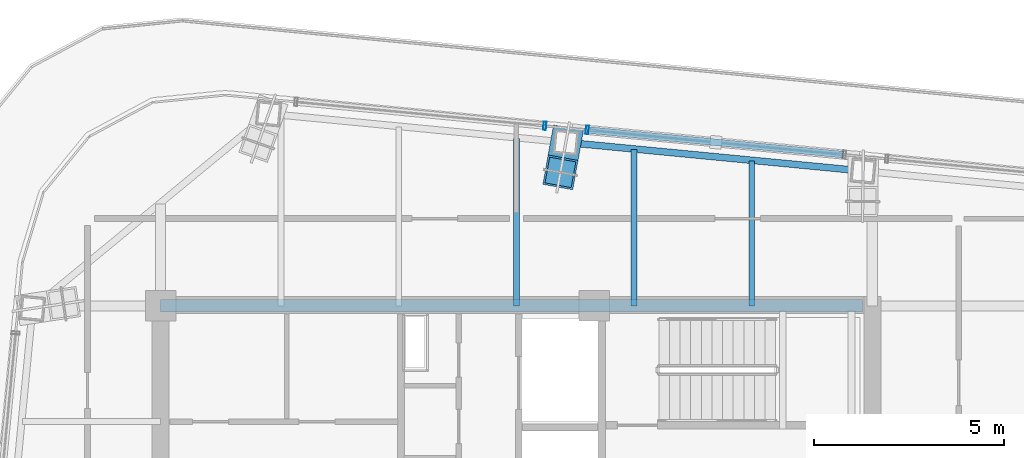
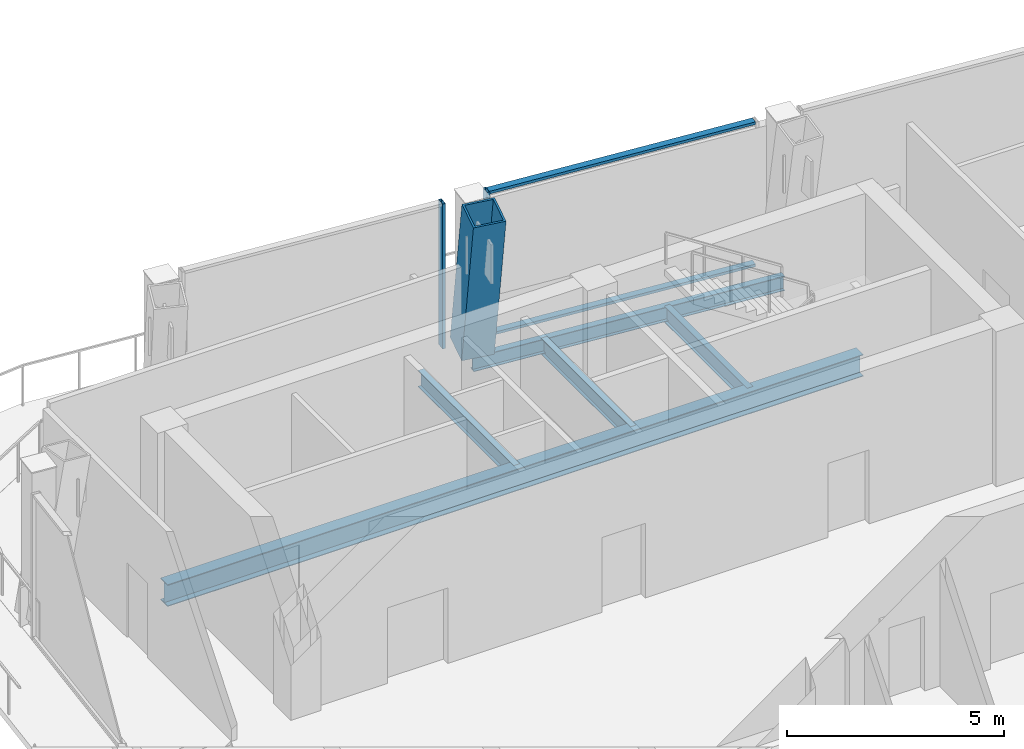
# One storey, part 9 of 19: 5 beams, 5 members, 2 elements without a shape of their own.
"""IFC4 building model written with IfcOpenShell, lengths in metres."""

from ifc_helpers import new_model, si_unit, direction, frame, origin, origin_2d, place, context, subcontext, project, spatial, hollow_rectangle, i_section, extrude, material, layer, layer_set, material_profile, profile_set, type_object, element, aggregate, save


model = new_model("IFC4")

# Units and contexts
model_context = context("Model", 3, precision=1e-05, world=origin(), true_north=direction((0.0, 1.0)))
body_context = subcontext(model_context, "Body", "Model", "MODEL_VIEW")
ifc_project = project(units=[si_unit("LENGTHUNIT", "METRE"), si_unit("AREAUNIT", "SQUARE_METRE"), si_unit("VOLUMEUNIT", "CUBIC_METRE"), si_unit("PLANEANGLEUNIT", "RADIAN"), si_unit("MASSUNIT", "GRAM", prefix="KILO")], contexts=[model_context])

# Site, building, storey
site_placement = place(None, origin())
site = spatial("IfcSite", under=ifc_project, at=site_placement, CompositionType="ELEMENT")
building_placement = place(site_placement, origin())
building = spatial("IfcBuilding", under=site, at=building_placement, Name="Qhalaya Broadcast Tower", CompositionType="ELEMENT")
storey_placement = place(building_placement, frame((0.0, 0.0, 280.550048828125)))
storey = spatial("IfcBuildingStorey", under=building, at=storey_placement, Name="L83", CompositionType="ELEMENT", Elevation=280.550048828125)

# Beams
ifc_material_1 = material(Name="Structural Steel ASTM A992 Grade 50", Category="steel")
ifc_material_profile_1 = material_profile(ifc_material_1, i_section(OverallWidth=0.154052734375, OverallDepth=0.458984375, WebThickness=0.009033203125, FlangeThickness=0.015380859375, at=origin_2d()), Name="W18X46")
ifc_profile_set_1 = profile_set([ifc_material_profile_1], Name="Structural Steel ASTM A992 Grade 50")
beam_type_1 = type_object("IfcBeamType", Name="Composite Floor Joist J04", PredefinedType="JOIST", material=ifc_profile_set_1)
beam_1_placement = place(storey_placement, frame((0.0, 9.949951171875, -0.41943359375), z_axis=(0.0, 1.0, 0.0), x_axis=(-1.0, 0.0, 0.0)))
element("IfcBeam", 1, at=beam_1_placement, inside=storey, type_object=beam_type_1, Name="L83 J04 L83-JNN3-1", PredefinedType="JOIST", context=body_context, shape_type="SweptSolid", body=[
    extrude(i_section(OverallWidth=0.154052734375, OverallDepth=0.458984375, WebThickness=0.009033203125, FlangeThickness=0.015380859375, at=origin_2d()), origin(), (0.0, 0.0, 1.0), 4.411865234375),
])
beam_2_placement = place(storey_placement, frame((3.10009765625, 9.949951171875, -0.41943359375), z_axis=(0.0, 1.0, 0.0), x_axis=(-1.0, 0.0, 0.0)))
element("IfcBeam", 2, at=beam_2_placement, inside=storey, type_object=beam_type_1, Name="L83 J04 L83-JNN4-1", PredefinedType="JOIST", context=body_context, shape_type="SweptSolid", body=[
    extrude(i_section(OverallWidth=0.154052734375, OverallDepth=0.458984375, WebThickness=0.009033203125, FlangeThickness=0.015380859375, at=origin_2d()), origin(), (0.0, 0.0, 1.0), 4.11328125),
])
beam_3_placement = place(storey_placement, frame((6.199951171875, 9.949951171875, -0.41943359375), z_axis=(0.0, 1.0, 0.0), x_axis=(-1.0, 0.0, 0.0)))
element("IfcBeam", 3, at=beam_3_placement, inside=storey, type_object=beam_type_1, Name="L83 J04 L83-JNN5-1", PredefinedType="JOIST", context=body_context, shape_type="SweptSolid", body=[
    extrude(i_section(OverallWidth=0.154052734375, OverallDepth=0.458984375, WebThickness=0.009033203125, FlangeThickness=0.015380859375, at=origin_2d()), origin(), (0.0, 0.0, 1.0), 3.814697265625),
])
ifc_material_profile_2 = material_profile(ifc_material_1, i_section(OverallWidth=0.323974609375, OverallDepth=0.612060546875, WebThickness=0.0126953125, FlangeThickness=0.01904296875, at=origin_2d()), Name="W24X104")
ifc_profile_set_2 = profile_set([ifc_material_profile_2], Name="Structural Steel ASTM A992 Grade 50")
beam_type_2 = type_object("IfcBeamType", Name="Core Frame Tie Beam B04", PredefinedType="BEAM", material=ifc_profile_set_2)
beam_4_placement = place(storey_placement, frame((-9.375, 9.949951171875, -0.49609375), z_axis=(1.0, 0.0, 0.0), x_axis=(0.0, 1.0, 0.0)))
element("IfcBeam", 4, at=beam_4_placement, inside=storey, type_object=beam_type_2, Name="L83 B04 L83-CCN3", PredefinedType="BEAM", context=body_context, shape_type="SweptSolid", body=[
    extrude(i_section(OverallWidth=0.323974609375, OverallDepth=0.612060546875, WebThickness=0.0126953125, FlangeThickness=0.01904296875, at=origin_2d()), origin(), (0.0, 0.0, 1.0), 18.4951171875),
])

# Curtain wall, member
ifc_material_2 = material(Name="Solar-Control Low-E Triple Glazing", Category="glass")
ifc_layer = layer(ifc_material_2, 0.219970703125, Name="Solar-Control Low-E Triple Glazing")
ifc_layer_set = layer_set([ifc_layer], Name="Solar-Control Low-E Triple Glazing")
curtain_wall_type = type_object("IfcCurtainWallType", Name="Crown Garden & Observation Windscreen Curtain Wall CW-06", PredefinedType="NOTDEFINED", material=ifc_layer_set)
curtain_wall_1_placement = place(storey_placement, origin())
curtain_wall_1 = element("IfcCurtainWall", 5, at=curtain_wall_1_placement, inside=storey, type_object=curtain_wall_type, Name="L83 Unitised Curtain Wall L83-CW-N2", PredefinedType="NOTDEFINED")
ifc_material_3 = material(Name="Anodised Aluminium 6063-T6", Category="aluminium")
ifc_material_profile_3 = material_profile(ifc_material_3, hollow_rectangle(XDim=0.074951171875, YDim=0.219970703125, WallThickness=0.00390625, at=origin_2d()), Name="ALU-MUL 75x220x4")
ifc_profile_set_3 = profile_set([ifc_material_profile_3], Name="Anodised Aluminium 6063-T6")
member_type_1 = type_object("IfcMemberType", Name="Unitised Curtain-Wall Mullion M01", PredefinedType="MULLION", material=ifc_profile_set_3)
member_1_placement = place(storey_placement, frame((1.864990234375, 14.583984375, 0.0), z_axis=(0.0, 0.0, 1.0), x_axis=(-0.995396218393, 0.095845544549, 0.0)))
member_1 = element("IfcMember", 6, at=member_1_placement, type_object=member_type_1, Name="CW-06 mullion 2", PredefinedType="MULLION", context=body_context, shape_type="SweptSolid", body=[
    extrude(hollow_rectangle(XDim=0.074951171875, YDim=0.219970703125, WallThickness=0.00390625, at=origin_2d()), origin(), (0.0, 0.0, 1.0), 4.070068359375),
])

curtain_wall_2_placement = place(storey_placement, origin())
curtain_wall_2 = element("IfcCurtainWall", 7, at=curtain_wall_2_placement, inside=storey, type_object=curtain_wall_type, Name="L83 Unitised Curtain Wall L83-CW-N3", PredefinedType="NOTDEFINED")
member_2_placement = place(storey_placement, frame((0.7490234375, 14.69140625, 0.0), z_axis=(0.0, 0.0, 1.0), x_axis=(-0.995396507194, 0.095842545179, 0.0)))
member_2 = element("IfcMember", 8, at=member_2_placement, type_object=member_type_1, Name="CW-06 mullion 1", PredefinedType="MULLION", context=body_context, shape_type="SweptSolid", body=[
    extrude(hollow_rectangle(XDim=0.074951171875, YDim=0.219970703125, WallThickness=0.00390625, at=origin_2d()), origin(), (0.0, 0.0, 1.0), 4.070068359375),
])
aggregate(curtain_wall_2, [member_2])

# Member
ifc_material_profile_4 = material_profile(ifc_material_3, hollow_rectangle(XDim=0.074951171875, YDim=0.179931640625, WallThickness=0.00390625, at=origin_2d()), Name="ALU-TRN 75x180x4")
ifc_profile_set_4 = profile_set([ifc_material_profile_4], Name="Anodised Aluminium 6063-T6")
member_type_2 = type_object("IfcMemberType", Name="Unitised Curtain-Wall Transom T01", PredefinedType="USERDEFINED", material=ifc_profile_set_4)
member_3_placement = place(storey_placement, frame((8.605224609375, 13.93505859375, 0.037353515625), z_axis=(-0.995398328206, 0.095823630721, 0.0), x_axis=(0.0, 0.0, 1.0)))
member_3 = element("IfcMember", 9, at=member_3_placement, type_object=member_type_2, Name="CW-06 transom 1.1", ObjectType="TRANSOM", PredefinedType="USERDEFINED", context=body_context, shape_type="SweptSolid", body=[
    extrude(hollow_rectangle(XDim=0.074951171875, YDim=0.179931640625, WallThickness=0.00390625, at=origin_2d()), origin(), (0.0, 0.0, 1.0), 6.73388671875),
])

member_4_placement = place(storey_placement, frame((8.605224609375, 13.93505859375, 4.032470703125), z_axis=(-0.995398328206, 0.095823630721, 0.0), x_axis=(0.0, 0.0, 1.0)))
member_4 = element("IfcMember", 10, at=member_4_placement, type_object=member_type_2, Name="CW-06 transom 1.2", ObjectType="TRANSOM", PredefinedType="USERDEFINED", context=body_context, shape_type="SweptSolid", body=[
    extrude(hollow_rectangle(XDim=0.074951171875, YDim=0.179931640625, WallThickness=0.00390625, at=origin_2d()), origin(), (0.0, 0.0, 1.0), 6.73388671875),
])

aggregate(curtain_wall_1, [member_1, member_3, member_4])

ifc_material_4 = material(Name="Structural Steel ASTM A572 Grade 50", Category="steel")
ifc_material_profile_5 = material_profile(ifc_material_4, hollow_rectangle(XDim=0.800048828125, YDim=0.800048828125, WallThickness=0.050048828125, at=origin_2d()), Name="BOX 800x800x50")
ifc_profile_set_5 = profile_set([ifc_material_profile_5], Name="Structural Steel ASTM A572 Grade 50")
member_type_3 = type_object("IfcMemberType", Name="Upper Exoskeleton Transfer Strut RK2", PredefinedType="BRACE", material=ifc_profile_set_5)
member_5_placement = place(storey_placement, frame((1.302001953125, 14.25634765625, 0.083984375), z_axis=(-0.032959112627, -0.181950050085, 0.982755247337), x_axis=(0.983986501246, -0.17824299528, 0.0)))
element("IfcMember", 11, at=member_5_placement, inside=storey, type_object=member_type_3, Name="L83 Inclined Exoskeleton Transfer Strut 11", PredefinedType="BRACE", context=body_context, shape_type="SweptSolid", body=[
    extrude(hollow_rectangle(XDim=0.800048828125, YDim=0.800048828125, WallThickness=0.050048828125, at=origin_2d()), origin(), (0.0, 0.0, 1.0), 4.3408203125),
])

# Beam
ifc_material_profile_6 = material_profile(ifc_material_1, i_section(OverallWidth=0.177978515625, OverallDepth=0.406005859375, WebThickness=0.0078125, FlangeThickness=0.0126953125, at=origin_2d()), Name="W16X40")
ifc_profile_set_6 = profile_set([ifc_material_profile_6], Name="Structural Steel ASTM A992 Grade 50")
beam_type_3 = type_object("IfcBeamType", Name="Upper Perimeter Spandrel Beam SP2", PredefinedType="SPANDREL", material=ifc_profile_set_6)
beam_5_placement = place(storey_placement, frame((9.132568359375, 13.50244140625, -0.39306640625), z_axis=(-0.995397308407, 0.095834223619, 0.0), x_axis=(-0.095834223619, -0.995397308407, 0.0)))
element("IfcBeam", 12, at=beam_5_placement, inside=storey, type_object=beam_type_3, Name="L83 SP2 L83-SPR-10", PredefinedType="SPANDREL", context=body_context, shape_type="SweptSolid", body=[
    extrude(i_section(OverallWidth=0.177978515625, OverallDepth=0.406005859375, WebThickness=0.0078125, FlangeThickness=0.0126953125, at=origin_2d()), origin(), (0.0, 0.0, 1.0), 7.86669921875),
])

save(model, "model.ifc")
